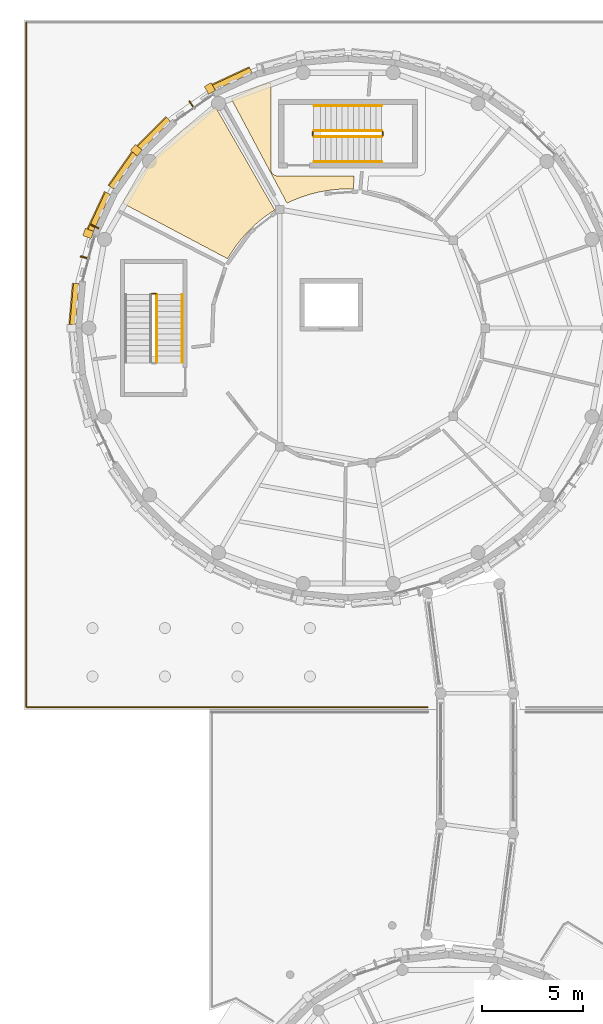
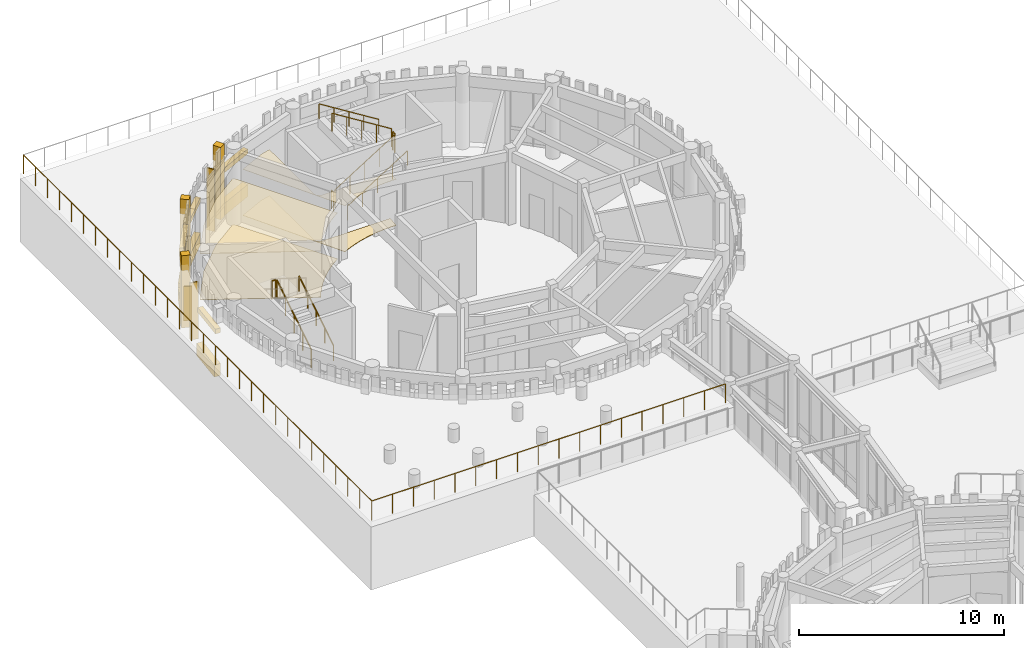
# One storey, part 84 of 94: 17 coverings, 10 railings, 3 shading devices.
"""IFC4 building model written with IfcOpenShell, lengths in metres."""

from ifc_helpers import new_model, si_unit, direction, frame, origin, origin_2d, place, context, subcontext, project, spatial, polyline, rectangle, circle, outline, extrude, material, layer, layer_set, type_object, element, save


model = new_model("IFC4")

# Units and contexts
model_context = context("Model", 3, precision=1e-05, world=origin(), true_north=direction((0.0, 1.0)))
body_context = subcontext(model_context, "Body", "Model", "MODEL_VIEW")
ifc_project = project(units=[si_unit("LENGTHUNIT", "METRE"), si_unit("AREAUNIT", "SQUARE_METRE"), si_unit("VOLUMEUNIT", "CUBIC_METRE"), si_unit("PLANEANGLEUNIT", "RADIAN"), si_unit("MASSUNIT", "GRAM", prefix="KILO")], contexts=[model_context])

# Site, building, storey
site_placement = place(None, origin())
site = spatial("IfcSite", under=ifc_project, at=site_placement, CompositionType="ELEMENT")
building_placement = place(site_placement, origin())
building = spatial("IfcBuilding", under=site, at=building_placement, Name="Aldenvaro Health Centre", CompositionType="ELEMENT")
storey_placement = place(building_placement, origin())
storey = spatial("IfcBuildingStorey", under=building, at=storey_placement, Name="L00", CompositionType="ELEMENT", Elevation=0.0)

# Coverings
ifc_material_1 = material(Name="Antimicrobial Mineral Fibre Ceiling")
ifc_layer_1 = layer(ifc_material_1, 0.01806640625, Name="Antimicrobial Mineral Fibre Ceiling")
ifc_layer_set_1 = layer_set([ifc_layer_1], Name="Antimicrobial Mineral Fibre Ceiling")
covering_type_1 = type_object("IfcCoveringType", Name="COV-CLG-ACT18", PredefinedType="CEILING", material=ifc_layer_set_1)
covering_1_placement = place(storey_placement, frame((0.0, 0.0, 2.75)))
element("IfcCovering", 1, at=covering_1_placement, inside=storey, type_object=covering_type_1, Name="D4-L00-R02 Suspended Ceiling", PredefinedType="CEILING", context=body_context, shape_type="SweptSolid", body=[
    extrude(outline(polyline([(18.51708984375, 106.409912109375), (18.5009765625, 106.409912109375), (18.031982421875, 106.39404296875), (18.01611328125, 106.39306640625), (17.550048828125, 106.343994140625), (17.532958984375, 106.342041015625), (17.072021484375, 106.260986328125), (17.054931640625, 106.257080078125), (16.60107421875, 106.14404296875), (16.583984375, 106.138916015625), (16.138916015625, 105.993896484375), (16.123046875, 105.988037109375), (15.68896484375, 105.81201171875), (15.674072265625, 105.804931640625), (15.4609375, 105.700927734375), (12.694091796875, 110.883056640625), (14.115966796875, 111.5458984375), (14.659912109375, 111.69189453125), (14.659912109375, 107.3798828125), (14.659912109375, 107.367919921875), (14.660888671875, 107.360107421875), (14.6630859375, 107.3369140625), (14.6640625, 107.3291015625), (14.6689453125, 107.305908203125), (14.6708984375, 107.298095703125), (14.677001953125, 107.27587890625), (14.679931640625, 107.26904296875), (14.68896484375, 107.2470703125), (14.69189453125, 107.239990234375), (14.7041015625, 107.218994140625), (14.7080078125, 107.2119140625), (14.720947265625, 107.193115234375), (14.72509765625, 107.18603515625), (14.739990234375, 107.16796875), (14.74609375, 107.162109375), (14.761962890625, 107.14599609375), (14.76806640625, 107.139892578125), (14.785888671875, 107.125), (14.79296875, 107.12109375), (14.81201171875, 107.10791015625), (14.819091796875, 107.10400390625), (14.840087890625, 107.092041015625), (14.846923828125, 107.089111328125), (14.868896484375, 107.080078125), (14.8759765625, 107.076904296875), (14.89794921875, 107.071044921875), (14.906005859375, 107.069091796875), (14.928955078125, 107.06396484375), (14.93701171875, 107.06298828125), (14.9599609375, 107.06103515625), (14.968017578125, 107.06005859375), (14.97998046875, 107.06005859375), (18.801025390625, 107.06005859375), (18.75390625, 106.40087890625), (18.51708984375, 106.409912109375)])), origin(), (0.0, 0.0, 1.0), 0.01806640625),
])
covering_2_placement = place(storey_placement, frame((0.0, 0.0, 2.75)))
element("IfcCovering", 2, at=covering_2_placement, inside=storey, type_object=covering_type_1, Name="D4-L00-R03 Suspended Ceiling", PredefinedType="CEILING", context=body_context, shape_type="SweptSolid", body=[
    extrude(outline(polyline([(11.910888671875, 110.47607421875), (14.85205078125, 105.363037109375), (14.65087890625, 105.238037109375), (14.636962890625, 105.22900390625), (14.257080078125, 104.9541015625), (14.243896484375, 104.944091796875), (13.885009765625, 104.64306640625), (13.8720703125, 104.631103515625), (13.534912109375, 104.305908203125), (13.52392578125, 104.2939453125), (13.2099609375, 103.946044921875), (13.198974609375, 103.93310546875), (12.910888671875, 103.56298828125), (12.90087890625, 103.550048828125), (12.639892578125, 103.160888671875), (12.631103515625, 103.14697265625), (12.512939453125, 102.94189453125), (7.301025390625, 105.700927734375), (7.39794921875, 105.908935546875), (8.679931640625, 107.739990234375), (10.260009765625, 109.320068359375), (11.910888671875, 110.47607421875)])), origin(), (0.0, 0.0, 1.0), 0.01806640625),
])
ifc_material_2 = material(Name="Honed Sonoran Buff Limestone", Category="masonry")
ifc_layer_2 = layer(ifc_material_2, 0.280029296875, Name="Honed Sonoran Buff Limestone", Category="masonry")
ifc_layer_set_2 = layer_set([ifc_layer_2], Name="Honed Sonoran Buff Limestone")
covering_type_2 = type_object("IfcCoveringType", Name="COV-CRN-STN", PredefinedType="CLADDING", material=ifc_layer_set_2)
covering_3_placement = place(storey_placement, frame((4.8779296875, 100.69189453125, 0.0), z_axis=(0.0, 0.0, 1.0), x_axis=(0.087331575855, 0.996179299052, 0.0)))
element("IfcCovering", 3, at=covering_3_placement, inside=storey, type_object=covering_type_2, Name="D4 L00 Rusticated Limestone Plinth 19.1", PredefinedType="CLADDING", context=body_context, shape_type="SweptSolid", body=[
    extrude(rectangle(XDim=2.055908203125, YDim=0.340087890625, at=origin_2d()), origin(), (0.0, 0.0, 1.0), 0.719970703125),
])
covering_4_placement = place(storey_placement, frame((4.907958984375, 100.68896484375, 2.5498046875), z_axis=(0.0, 0.0, 1.0), x_axis=(0.087331575855, 0.996179299052, 0.0)))
element("IfcCovering", 4, at=covering_4_placement, inside=storey, type_object=covering_type_2, Name="D4 L00 Rusticated Limestone Plinth 19.2", PredefinedType="CLADDING", context=body_context, shape_type="SweptSolid", body=[
    extrude(rectangle(XDim=2.055908203125, YDim=0.280029296875, at=origin_2d()), origin(), (0.0, 0.0, 1.0), 0.280029296875),
])
covering_5_placement = place(storey_placement, frame((6.10693359375, 105.279052734375, 0.0), z_axis=(0.0, 0.0, 1.0), x_axis=(0.422557314215, 0.90633620484, 0.0)))
element("IfcCovering", 5, at=covering_5_placement, inside=storey, type_object=covering_type_2, Name="D4 L00 Rusticated Limestone Plinth 21.1", PredefinedType="CLADDING", context=body_context, shape_type="SweptSolid", body=[
    extrude(rectangle(XDim=2.055908203125, YDim=0.340087890625, at=origin_2d()), origin(), (0.0, 0.0, 1.0), 0.719970703125),
])
covering_6_placement = place(storey_placement, frame((6.134033203125, 105.26611328125, 2.5498046875), z_axis=(0.0, 0.0, 1.0), x_axis=(0.422557314215, 0.90633620484, 0.0)))
element("IfcCovering", 6, at=covering_6_placement, inside=storey, type_object=covering_type_2, Name="D4 L00 Rusticated Limestone Plinth 21.2", PredefinedType="CLADDING", context=body_context, shape_type="SweptSolid", body=[
    extrude(rectangle(XDim=2.055908203125, YDim=0.280029296875, at=origin_2d()), origin(), (0.0, 0.0, 1.0), 0.280029296875),
])
covering_7_placement = place(storey_placement, frame((5.589111328125, 104.198974609375, -0.00048828125), z_axis=(0.0, 0.0, 1.0), x_axis=(-0.939695335552, 0.342012684476, 0.0)))
element("IfcCovering", 7, at=covering_7_placement, inside=storey, type_object=covering_type_2, Name="D4 L00 Engaged Classical Limestone Pilaster 11", PredefinedType="CLADDING", context=body_context, shape_type="SweptSolid", body=[
    extrude(rectangle(XDim=0.43994140625, YDim=0.3798828125, at=origin_2d()), origin(), (0.0, 0.0, 1.0), 4.304931640625),
])
covering_8_placement = place(storey_placement, frame((7.299072265625, 107.343017578125, 0.0), z_axis=(0.0, 0.0, 1.0), x_axis=(0.573720929857, 0.819050849853, 0.0)))
element("IfcCovering", 8, at=covering_8_placement, inside=storey, type_object=covering_type_2, Name="D4 L00 Rusticated Limestone Plinth 22.1", PredefinedType="CLADDING", context=body_context, shape_type="SweptSolid", body=[
    extrude(rectangle(XDim=2.055908203125, YDim=0.340087890625, at=origin_2d()), origin(), (0.0, 0.0, 1.0), 0.719970703125),
])
covering_9_placement = place(storey_placement, frame((7.322998046875, 107.325927734375, 2.5498046875), z_axis=(0.0, 0.0, 1.0), x_axis=(0.573720929857, 0.819050849853, 0.0)))
element("IfcCovering", 9, at=covering_9_placement, inside=storey, type_object=covering_type_2, Name="D4 L00 Rusticated Limestone Plinth 22.2", PredefinedType="CLADDING", context=body_context, shape_type="SweptSolid", body=[
    extrude(rectangle(XDim=2.055908203125, YDim=0.280029296875, at=origin_2d()), origin(), (0.0, 0.0, 1.0), 0.280029296875),
])
covering_10_placement = place(storey_placement, frame((8.8310546875, 109.1689453125, 0.0), z_axis=(0.0, 0.0, 1.0), x_axis=(0.707106781187, 0.707106781187, 0.0)))
element("IfcCovering", 10, at=covering_10_placement, inside=storey, type_object=covering_type_2, Name="D4 L00 Rusticated Limestone Plinth 23.1", PredefinedType="CLADDING", context=body_context, shape_type="SweptSolid", body=[
    extrude(rectangle(XDim=2.055908203125, YDim=0.340087890625, at=origin_2d()), origin(), (0.0, 0.0, 1.0), 0.719970703125),
])
covering_11_placement = place(storey_placement, frame((8.85205078125, 109.14794921875, 2.5498046875), z_axis=(0.0, 0.0, 1.0), x_axis=(0.707106781187, 0.707106781187, 0.0)))
element("IfcCovering", 11, at=covering_11_placement, inside=storey, type_object=covering_type_2, Name="D4 L00 Rusticated Limestone Plinth 23.2", PredefinedType="CLADDING", context=body_context, shape_type="SweptSolid", body=[
    extrude(rectangle(XDim=2.055908203125, YDim=0.280029296875, at=origin_2d()), origin(), (0.0, 0.0, 1.0), 0.280029296875),
])
covering_12_placement = place(storey_placement, frame((7.97412109375, 108.33203125, -0.00048828125), z_axis=(0.0, 0.0, 1.0), x_axis=(-0.766057587935, 0.642771943979, 0.0)))
element("IfcCovering", 12, at=covering_12_placement, inside=storey, type_object=covering_type_2, Name="D4 L00 Engaged Classical Limestone Pilaster 12", PredefinedType="CLADDING", context=body_context, shape_type="SweptSolid", body=[
    extrude(rectangle(XDim=0.43994140625, YDim=0.3798828125, at=origin_2d()), origin(), (0.0, 0.0, 1.0), 4.304931640625),
])
covering_13_placement = place(storey_placement, frame((12.720947265625, 111.89306640625, 0.0), z_axis=(0.0, 0.0, 1.0), x_axis=(0.90633620484, 0.422557314215, 0.0)))
element("IfcCovering", 13, at=covering_13_placement, inside=storey, type_object=covering_type_2, Name="D4 L00 Rusticated Limestone Plinth 25.1", PredefinedType="CLADDING", context=body_context, shape_type="SweptSolid", body=[
    extrude(rectangle(XDim=2.055908203125, YDim=0.340087890625, at=origin_2d()), origin(), (0.0, 0.0, 1.0), 0.719970703125),
])
covering_14_placement = place(storey_placement, frame((12.73388671875, 111.865966796875, 2.5498046875), z_axis=(0.0, 0.0, 1.0), x_axis=(0.90633620484, 0.422557314215, 0.0)))
element("IfcCovering", 14, at=covering_14_placement, inside=storey, type_object=covering_type_2, Name="D4 L00 Rusticated Limestone Plinth 25.2", PredefinedType="CLADDING", context=body_context, shape_type="SweptSolid", body=[
    extrude(rectangle(XDim=2.055908203125, YDim=0.280029296875, at=origin_2d()), origin(), (0.0, 0.0, 1.0), 0.280029296875),
])
covering_15_placement = place(storey_placement, frame((11.6298828125, 111.39892578125, -0.00048828125), z_axis=(0.0, 0.0, 1.0), x_axis=(-0.499991611653, 0.866030246745, 0.0)))
element("IfcCovering", 15, at=covering_15_placement, inside=storey, type_object=covering_type_2, Name="D4 L00 Engaged Classical Limestone Pilaster 13", PredefinedType="CLADDING", context=body_context, shape_type="SweptSolid", body=[
    extrude(rectangle(XDim=0.43994140625, YDim=0.3798828125, at=origin_2d()), origin(), (0.0, 0.0, 1.0), 4.304931640625),
])
ifc_material_3 = material(Name="Polished Epoxy Terrazzo Flooring")
ifc_layer_3 = layer(ifc_material_3, 0.02197265625, Name="Polished Epoxy Terrazzo Flooring")
ifc_layer_set_3 = layer_set([ifc_layer_3], Name="Polished Epoxy Terrazzo Flooring")
covering_type_3 = type_object("IfcCoveringType", Name="COV-FLR-TER22", PredefinedType="FLOORING", material=ifc_layer_set_3)
covering_16_placement = place(storey_placement, origin())
element("IfcCovering", 16, at=covering_16_placement, inside=storey, type_object=covering_type_3, Name="D4-L00-R02 Flooring", PredefinedType="FLOORING", context=body_context, shape_type="SweptSolid", body=[
    extrude(outline(polyline([(18.51708984375, 106.409912109375), (18.5009765625, 106.409912109375), (18.031982421875, 106.39404296875), (18.01611328125, 106.39306640625), (17.550048828125, 106.343994140625), (17.532958984375, 106.342041015625), (17.072021484375, 106.260986328125), (17.054931640625, 106.257080078125), (16.60107421875, 106.14404296875), (16.583984375, 106.138916015625), (16.138916015625, 105.993896484375), (16.123046875, 105.988037109375), (15.68896484375, 105.81201171875), (15.674072265625, 105.804931640625), (15.4609375, 105.700927734375), (12.694091796875, 110.883056640625), (14.115966796875, 111.5458984375), (14.659912109375, 111.69189453125), (14.659912109375, 107.3798828125), (14.659912109375, 107.367919921875), (14.660888671875, 107.360107421875), (14.6630859375, 107.3369140625), (14.6640625, 107.3291015625), (14.6689453125, 107.305908203125), (14.6708984375, 107.298095703125), (14.677001953125, 107.27587890625), (14.679931640625, 107.26904296875), (14.68896484375, 107.2470703125), (14.69189453125, 107.239990234375), (14.7041015625, 107.218994140625), (14.7080078125, 107.2119140625), (14.720947265625, 107.193115234375), (14.72509765625, 107.18603515625), (14.739990234375, 107.16796875), (14.74609375, 107.162109375), (14.761962890625, 107.14599609375), (14.76806640625, 107.139892578125), (14.785888671875, 107.125), (14.79296875, 107.12109375), (14.81201171875, 107.10791015625), (14.819091796875, 107.10400390625), (14.840087890625, 107.092041015625), (14.846923828125, 107.089111328125), (14.868896484375, 107.080078125), (14.8759765625, 107.076904296875), (14.89794921875, 107.071044921875), (14.906005859375, 107.069091796875), (14.928955078125, 107.06396484375), (14.93701171875, 107.06298828125), (14.9599609375, 107.06103515625), (14.968017578125, 107.06005859375), (14.97998046875, 107.06005859375), (18.801025390625, 107.06005859375), (18.75390625, 106.40087890625), (18.51708984375, 106.409912109375)])), origin(), (0.0, 0.0, 1.0), 0.02197265625),
])
covering_17_placement = place(storey_placement, origin())
element("IfcCovering", 17, at=covering_17_placement, inside=storey, type_object=covering_type_3, Name="D4-L00-R03 Flooring", PredefinedType="FLOORING", context=body_context, shape_type="SweptSolid", body=[
    extrude(outline(polyline([(11.910888671875, 110.47607421875), (14.85205078125, 105.363037109375), (14.65087890625, 105.238037109375), (14.636962890625, 105.22900390625), (14.257080078125, 104.9541015625), (14.243896484375, 104.944091796875), (13.885009765625, 104.64306640625), (13.8720703125, 104.631103515625), (13.534912109375, 104.305908203125), (13.52392578125, 104.2939453125), (13.2099609375, 103.946044921875), (13.198974609375, 103.93310546875), (12.910888671875, 103.56298828125), (12.90087890625, 103.550048828125), (12.639892578125, 103.160888671875), (12.631103515625, 103.14697265625), (12.512939453125, 102.94189453125), (7.301025390625, 105.700927734375), (7.39794921875, 105.908935546875), (8.679931640625, 107.739990234375), (10.260009765625, 109.320068359375), (11.910888671875, 110.47607421875)])), origin(), (0.0, 0.0, 1.0), 0.02197265625),
])

# Railings
ifc_material_4 = material(Name="Painted Architectural Steel", Category="steel")
railing_type_1 = type_object("IfcRailingType", Name="RL-BAL-115", PredefinedType="GUARDRAIL", material=ifc_material_4)
railing_1_placement = place(storey_placement, frame((22.443115234375, 80.669921875, 3.75)))
element("IfcRailing", 18, at=railing_1_placement, inside=storey, type_object=railing_type_1, Name="Upper North Foothill Acropolis Bastion Terrace Classical Balustrade 35", PredefinedType="GUARDRAIL", context=body_context, shape_type="SweptSolid", body=[
    extrude(circle(Radius=0.02392578125, at=origin_2d()), frame((0.0, 0.0, 1.1357421875), z_axis=(-1.0, 0.0, 0.0), x_axis=(0.0, -1.0, 0.0)), (0.0, 0.0, 1.0), 19.923095703125),
    extrude(circle(Radius=0.02392578125, at=origin_2d()), frame((-19.923095703125, 0.0, 1.1357421875), z_axis=(0.0, 1.0, 0.0), x_axis=(-1.0, 0.0, 0.0)), (0.0, 0.0, 1.0), 34.010009765625),
    extrude(circle(Radius=0.02099609375, at=origin_2d()), origin(), (0.0, 0.0, 1.0), 1.11181640625),
    extrude(circle(Radius=0.02099609375, at=origin_2d()), frame((-1.171875, 0.0, 0.0)), (0.0, 0.0, 1.0), 1.11181640625),
    extrude(circle(Radius=0.02099609375, at=origin_2d()), frame((-2.343994140625, 0.0, 0.0)), (0.0, 0.0, 1.0), 1.11181640625),
    extrude(circle(Radius=0.02099609375, at=origin_2d()), frame((-3.515869140625, 0.0, 0.0)), (0.0, 0.0, 1.0), 1.11181640625),
    extrude(circle(Radius=0.02099609375, at=origin_2d()), frame((-4.687744140625, 0.0, 0.0)), (0.0, 0.0, 1.0), 1.11181640625),
    extrude(circle(Radius=0.02099609375, at=origin_2d()), frame((-5.859619140625, 0.0, 0.0)), (0.0, 0.0, 1.0), 1.11181640625),
    extrude(circle(Radius=0.02099609375, at=origin_2d()), frame((-7.03173828125, 0.0, 0.0)), (0.0, 0.0, 1.0), 1.11181640625),
    extrude(circle(Radius=0.02099609375, at=origin_2d()), frame((-8.20361328125, 0.0, 0.0)), (0.0, 0.0, 1.0), 1.11181640625),
    extrude(circle(Radius=0.02099609375, at=origin_2d()), frame((-9.37548828125, 0.0, 0.0)), (0.0, 0.0, 1.0), 1.11181640625),
    extrude(circle(Radius=0.02099609375, at=origin_2d()), frame((-10.547607421875, 0.0, 0.0)), (0.0, 0.0, 1.0), 1.11181640625),
    extrude(circle(Radius=0.02099609375, at=origin_2d()), frame((-11.719482421875, 0.0, 0.0)), (0.0, 0.0, 1.0), 1.11181640625),
    extrude(circle(Radius=0.02099609375, at=origin_2d()), frame((-12.891357421875, 0.0, 0.0)), (0.0, 0.0, 1.0), 1.11181640625),
    extrude(circle(Radius=0.02099609375, at=origin_2d()), frame((-14.0634765625, 0.0, 0.0)), (0.0, 0.0, 1.0), 1.11181640625),
    extrude(circle(Radius=0.02099609375, at=origin_2d()), frame((-15.2353515625, 0.0, 0.0)), (0.0, 0.0, 1.0), 1.11181640625),
    extrude(circle(Radius=0.02099609375, at=origin_2d()), frame((-16.4072265625, 0.0, 0.0)), (0.0, 0.0, 1.0), 1.11181640625),
    extrude(circle(Radius=0.02099609375, at=origin_2d()), frame((-17.5791015625, 0.0, 0.0)), (0.0, 0.0, 1.0), 1.11181640625),
    extrude(circle(Radius=0.02099609375, at=origin_2d()), frame((-18.751220703125, 0.0, 0.0)), (0.0, 0.0, 1.0), 1.11181640625),
    extrude(circle(Radius=0.02099609375, at=origin_2d()), frame((-19.923095703125, 0.0, 0.0)), (0.0, 0.0, 1.0), 1.11181640625),
    extrude(circle(Radius=0.02099609375, at=origin_2d()), frame((-19.923095703125, 1.1728515625, 0.0)), (0.0, 0.0, 1.0), 1.11181640625),
    extrude(circle(Radius=0.02099609375, at=origin_2d()), frame((-19.923095703125, 2.345458984375, 0.0)), (0.0, 0.0, 1.0), 1.11181640625),
    extrude(circle(Radius=0.02099609375, at=origin_2d()), frame((-19.923095703125, 3.518310546875, 0.0)), (0.0, 0.0, 1.0), 1.11181640625),
    extrude(circle(Radius=0.02099609375, at=origin_2d()), frame((-19.923095703125, 4.69091796875, 0.0)), (0.0, 0.0, 1.0), 1.11181640625),
    extrude(circle(Radius=0.02099609375, at=origin_2d()), frame((-19.923095703125, 5.86376953125, 0.0)), (0.0, 0.0, 1.0), 1.11181640625),
    extrude(circle(Radius=0.02099609375, at=origin_2d()), frame((-19.923095703125, 7.03662109375, 0.0)), (0.0, 0.0, 1.0), 1.11181640625),
    extrude(circle(Radius=0.02099609375, at=origin_2d()), frame((-19.923095703125, 8.209228515625, 0.0)), (0.0, 0.0, 1.0), 1.11181640625),
    extrude(circle(Radius=0.02099609375, at=origin_2d()), frame((-19.923095703125, 9.382080078125, 0.0)), (0.0, 0.0, 1.0), 1.11181640625),
    extrude(circle(Radius=0.02099609375, at=origin_2d()), frame((-19.923095703125, 10.554931640625, 0.0)), (0.0, 0.0, 1.0), 1.11181640625),
    extrude(circle(Radius=0.02099609375, at=origin_2d()), frame((-19.923095703125, 11.7275390625, 0.0)), (0.0, 0.0, 1.0), 1.11181640625),
    extrude(circle(Radius=0.02099609375, at=origin_2d()), frame((-19.923095703125, 12.900390625, 0.0)), (0.0, 0.0, 1.0), 1.11181640625),
    extrude(circle(Radius=0.02099609375, at=origin_2d()), frame((-19.923095703125, 14.072998046875, 0.0)), (0.0, 0.0, 1.0), 1.11181640625),
    extrude(circle(Radius=0.02099609375, at=origin_2d()), frame((-19.923095703125, 15.245849609375, 0.0)), (0.0, 0.0, 1.0), 1.11181640625),
    extrude(circle(Radius=0.02099609375, at=origin_2d()), frame((-19.923095703125, 16.418701171875, 0.0)), (0.0, 0.0, 1.0), 1.11181640625),
    extrude(circle(Radius=0.02099609375, at=origin_2d()), frame((-19.923095703125, 17.59130859375, 0.0)), (0.0, 0.0, 1.0), 1.11181640625),
    extrude(circle(Radius=0.02099609375, at=origin_2d()), frame((-19.923095703125, 18.76416015625, 0.0)), (0.0, 0.0, 1.0), 1.11181640625),
    extrude(circle(Radius=0.02099609375, at=origin_2d()), frame((-19.923095703125, 19.93701171875, 0.0)), (0.0, 0.0, 1.0), 1.11181640625),
    extrude(circle(Radius=0.02099609375, at=origin_2d()), frame((-19.923095703125, 21.109619140625, 0.0)), (0.0, 0.0, 1.0), 1.11181640625),
    extrude(circle(Radius=0.02099609375, at=origin_2d()), frame((-19.923095703125, 22.282470703125, 0.0)), (0.0, 0.0, 1.0), 1.11181640625),
    extrude(circle(Radius=0.02099609375, at=origin_2d()), frame((-19.923095703125, 23.455078125, 0.0)), (0.0, 0.0, 1.0), 1.11181640625),
    extrude(circle(Radius=0.02099609375, at=origin_2d()), frame((-19.923095703125, 24.6279296875, 0.0)), (0.0, 0.0, 1.0), 1.11181640625),
    extrude(circle(Radius=0.02099609375, at=origin_2d()), frame((-19.923095703125, 25.80078125, 0.0)), (0.0, 0.0, 1.0), 1.11181640625),
    extrude(circle(Radius=0.02099609375, at=origin_2d()), frame((-19.923095703125, 26.973388671875, 0.0)), (0.0, 0.0, 1.0), 1.11181640625),
    extrude(circle(Radius=0.02099609375, at=origin_2d()), frame((-19.923095703125, 28.146240234375, 0.0)), (0.0, 0.0, 1.0), 1.11181640625),
    extrude(circle(Radius=0.02099609375, at=origin_2d()), frame((-19.923095703125, 29.319091796875, 0.0)), (0.0, 0.0, 1.0), 1.11181640625),
    extrude(circle(Radius=0.02099609375, at=origin_2d()), frame((-19.923095703125, 30.49169921875, 0.0)), (0.0, 0.0, 1.0), 1.11181640625),
    extrude(circle(Radius=0.02099609375, at=origin_2d()), frame((-19.923095703125, 31.66455078125, 0.0)), (0.0, 0.0, 1.0), 1.11181640625),
    extrude(circle(Radius=0.02099609375, at=origin_2d()), frame((-19.923095703125, 32.837158203125, 0.0)), (0.0, 0.0, 1.0), 1.11181640625),
    extrude(circle(Radius=0.02099609375, at=origin_2d()), frame((-19.923095703125, 34.010009765625, 0.0)), (0.0, 0.0, 1.0), 1.11181640625),
])
railing_type_2 = type_object("IfcRailingType", Name="RL-BAL-INT", PredefinedType="BALUSTRADE", material=ifc_material_4)
railing_2_placement = place(storey_placement, frame((16.800048828125, 109.0, 0.175048828125)))
element("IfcRailing", 19, at=railing_2_placement, inside=storey, type_object=railing_type_2, Name="L00 ST-07 stair guard 1", PredefinedType="BALUSTRADE", context=body_context, shape_type="SweptSolid", body=[
    extrude(circle(Radius=0.02392578125, at=origin_2d()), frame((0.0, 0.0, 1.076171875), z_axis=(0.848005227453, 0.0, 0.529987862325), x_axis=(0.0, 1.0, 0.0)), (0.0, 0.0, 1.0), 3.962158203125),
    extrude(circle(Radius=0.02099609375, at=origin_2d()), origin(), (0.0, 0.0, 1.0), 1.052001953125),
    extrude(circle(Radius=0.02099609375, at=origin_2d()), frame((0.83984375, 0.0, 0.52490234375)), (0.0, 0.0, 1.0), 1.052001953125),
    extrude(circle(Radius=0.02099609375, at=origin_2d()), frame((1.679931640625, 0.0, 1.0498046875)), (0.0, 0.0, 1.0), 1.052001953125),
    extrude(circle(Radius=0.02099609375, at=origin_2d()), frame((2.52001953125, 0.0, 1.574951171875)), (0.0, 0.0, 1.0), 1.052001953125),
    extrude(circle(Radius=0.02099609375, at=origin_2d()), frame((3.35986328125, 0.0, 2.099853515625)), (0.0, 0.0, 1.0), 1.052001953125),
])
railing_3_placement = place(storey_placement, frame((20.2099609375, 109.050048828125, 2.27490234375)))
element("IfcRailing", 20, at=railing_3_placement, inside=storey, type_object=railing_type_2, Name="L00 ST-07 stair guard 2", PredefinedType="BALUSTRADE", context=body_context, shape_type="SweptSolid", body=[
    extrude(circle(Radius=0.02392578125, at=origin_2d()), frame((0.0, 0.0, 1.076171875), z_axis=(0.0, 1.0, 0.0), x_axis=(-1.0, 0.0, 0.0)), (0.0, 0.0, 1.0), 0.199951171875),
    extrude(circle(Radius=0.02099609375, at=origin_2d()), origin(), (0.0, 0.0, 1.0), 1.052001953125),
    extrude(circle(Radius=0.02099609375, at=origin_2d()), frame((0.0, 0.199951171875, 0.0)), (0.0, 0.0, 1.0), 1.052001953125),
])
railing_4_placement = place(storey_placement, frame((20.159912109375, 109.300048828125, 2.449951171875)))
element("IfcRailing", 21, at=railing_4_placement, inside=storey, type_object=railing_type_2, Name="L00 ST-07 stair guard 3", PredefinedType="BALUSTRADE", context=body_context, shape_type="SweptSolid", body=[
    extrude(circle(Radius=0.02392578125, at=origin_2d()), frame((0.0, 0.0, 1.076171875), z_axis=(-0.847977533471, 0.0, 0.530032171408), x_axis=(0.0, -1.0, 0.0)), (0.0, 0.0, 1.0), 3.962158203125),
    extrude(circle(Radius=0.02099609375, at=origin_2d()), origin(), (0.0, 0.0, 1.0), 1.052001953125),
    extrude(circle(Radius=0.02099609375, at=origin_2d()), frame((-0.83984375, 0.0, 0.52490234375)), (0.0, 0.0, 1.0), 1.052001953125),
    extrude(circle(Radius=0.02099609375, at=origin_2d()), frame((-1.679931640625, 0.0, 1.050048828125)), (0.0, 0.0, 1.0), 1.052001953125),
    extrude(circle(Radius=0.02099609375, at=origin_2d()), frame((-2.52001953125, 0.0, 1.5751953125)), (0.0, 0.0, 1.0), 1.052001953125),
    extrude(circle(Radius=0.02099609375, at=origin_2d()), frame((-3.35986328125, 0.0, 2.10009765625)), (0.0, 0.0, 1.0), 1.052001953125),
])
railing_5_placement = place(storey_placement, frame((16.75, 109.050048828125, 0.0)))
element("IfcRailing", 22, at=railing_5_placement, inside=storey, type_object=railing_type_2, Name="L00 ST-07 stair guard 4", PredefinedType="BALUSTRADE", context=body_context, shape_type="SweptSolid", body=[
    extrude(circle(Radius=0.02392578125, at=origin_2d()), frame((0.0, 0.0, 1.076171875), z_axis=(0.0, 1.0, 0.0), x_axis=(-1.0, 0.0, 0.0)), (0.0, 0.0, 1.0), 0.199951171875),
    extrude(circle(Radius=0.02099609375, at=origin_2d()), origin(), (0.0, 0.0, 1.0), 1.052001953125),
    extrude(circle(Radius=0.02099609375, at=origin_2d()), frame((0.0, 0.199951171875, 0.0)), (0.0, 0.0, 1.0), 1.052001953125),
])
railing_6_placement = place(storey_placement, frame((9.0, 97.800048828125, 0.175048828125)))
element("IfcRailing", 23, at=railing_6_placement, inside=storey, type_object=railing_type_2, Name="L00 ST-08 stair guard 1", PredefinedType="BALUSTRADE", context=body_context, shape_type="SweptSolid", body=[
    extrude(circle(Radius=0.02392578125, at=origin_2d()), frame((0.0, 0.0, 1.076171875), z_axis=(0.0, 0.848005227453, 0.529987862325), x_axis=(-1.0, 0.0, 0.0)), (0.0, 0.0, 1.0), 3.962158203125),
    extrude(circle(Radius=0.02099609375, at=origin_2d()), origin(), (0.0, 0.0, 1.0), 1.052001953125),
    extrude(circle(Radius=0.02099609375, at=origin_2d()), frame((0.0, 0.83984375, 0.52490234375)), (0.0, 0.0, 1.0), 1.052001953125),
    extrude(circle(Radius=0.02099609375, at=origin_2d()), frame((0.0, 1.679931640625, 1.0498046875)), (0.0, 0.0, 1.0), 1.052001953125),
    extrude(circle(Radius=0.02099609375, at=origin_2d()), frame((0.0, 2.52001953125, 1.574951171875)), (0.0, 0.0, 1.0), 1.052001953125),
    extrude(circle(Radius=0.02099609375, at=origin_2d()), frame((0.0, 3.35986328125, 2.099853515625)), (0.0, 0.0, 1.0), 1.052001953125),
])
railing_7_placement = place(storey_placement, frame((8.949951171875, 101.2099609375, 2.27490234375)))
element("IfcRailing", 24, at=railing_7_placement, inside=storey, type_object=railing_type_2, Name="L00 ST-08 stair guard 2", PredefinedType="BALUSTRADE", context=body_context, shape_type="SweptSolid", body=[
    extrude(circle(Radius=0.02392578125, at=origin_2d()), frame((0.0, 0.0, 1.076171875), z_axis=(-1.0, 0.0, 0.0), x_axis=(0.0, -1.0, 0.0)), (0.0, 0.0, 1.0), 0.199951171875),
    extrude(circle(Radius=0.02099609375, at=origin_2d()), origin(), (0.0, 0.0, 1.0), 1.052001953125),
    extrude(circle(Radius=0.02099609375, at=origin_2d()), frame((-0.199951171875, 0.0, 0.0)), (0.0, 0.0, 1.0), 1.052001953125),
])
railing_type_3 = type_object("IfcRailingType", Name="RL-HND-INT", PredefinedType="HANDRAIL", material=ifc_material_4)
railing_8_placement = place(storey_placement, frame((16.800048828125, 107.75, 0.175048828125)))
element("IfcRailing", 25, at=railing_8_placement, inside=storey, type_object=railing_type_3, Name="L00 ST-07 stair handrail 1", PredefinedType="HANDRAIL", context=body_context, shape_type="SweptSolid", body=[
    extrude(circle(Radius=0.02392578125, at=origin_2d()), frame((0.0, 0.0, 0.8759765625), z_axis=(0.848005227453, 0.0, 0.529987862325), x_axis=(0.0, 1.0, 0.0)), (0.0, 0.0, 1.0), 3.962158203125),
    extrude(circle(Radius=0.02099609375, at=origin_2d()), origin(), (0.0, 0.0, 1.0), 0.851806640625),
    extrude(circle(Radius=0.02099609375, at=origin_2d()), frame((0.83984375, 0.0, 0.52490234375)), (0.0, 0.0, 1.0), 0.851806640625),
    extrude(circle(Radius=0.02099609375, at=origin_2d()), frame((1.679931640625, 0.0, 1.0498046875)), (0.0, 0.0, 1.0), 0.851806640625),
    extrude(circle(Radius=0.02099609375, at=origin_2d()), frame((2.52001953125, 0.0, 1.574951171875)), (0.0, 0.0, 1.0), 0.851806640625),
    extrude(circle(Radius=0.02099609375, at=origin_2d()), frame((3.35986328125, 0.0, 2.099853515625)), (0.0, 0.0, 1.0), 0.851806640625),
])
railing_9_placement = place(storey_placement, frame((20.159912109375, 110.550048828125, 2.449951171875)))
element("IfcRailing", 26, at=railing_9_placement, inside=storey, type_object=railing_type_3, Name="L00 ST-07 stair handrail 2", PredefinedType="HANDRAIL", context=body_context, shape_type="SweptSolid", body=[
    extrude(circle(Radius=0.02392578125, at=origin_2d()), frame((0.0, 0.0, 0.8759765625), z_axis=(-0.847977533471, 0.0, 0.530032171408), x_axis=(0.0, -1.0, 0.0)), (0.0, 0.0, 1.0), 3.962158203125),
    extrude(circle(Radius=0.02099609375, at=origin_2d()), origin(), (0.0, 0.0, 1.0), 0.851806640625),
    extrude(circle(Radius=0.02099609375, at=origin_2d()), frame((-0.83984375, 0.0, 0.52490234375)), (0.0, 0.0, 1.0), 0.851806640625),
    extrude(circle(Radius=0.02099609375, at=origin_2d()), frame((-1.679931640625, 0.0, 1.050048828125)), (0.0, 0.0, 1.0), 0.851806640625),
    extrude(circle(Radius=0.02099609375, at=origin_2d()), frame((-2.52001953125, 0.0, 1.5751953125)), (0.0, 0.0, 1.0), 0.851806640625),
    extrude(circle(Radius=0.02099609375, at=origin_2d()), frame((-3.35986328125, 0.0, 2.10009765625)), (0.0, 0.0, 1.0), 0.851806640625),
])
railing_10_placement = place(storey_placement, frame((10.25, 97.800048828125, 0.175048828125)))
element("IfcRailing", 27, at=railing_10_placement, inside=storey, type_object=railing_type_3, Name="L00 ST-08 stair handrail 1", PredefinedType="HANDRAIL", context=body_context, shape_type="SweptSolid", body=[
    extrude(circle(Radius=0.02392578125, at=origin_2d()), frame((0.0, 0.0, 0.8759765625), z_axis=(0.0, 0.848005227453, 0.529987862325), x_axis=(-1.0, 0.0, 0.0)), (0.0, 0.0, 1.0), 3.962158203125),
    extrude(circle(Radius=0.02099609375, at=origin_2d()), origin(), (0.0, 0.0, 1.0), 0.851806640625),
    extrude(circle(Radius=0.02099609375, at=origin_2d()), frame((0.0, 0.83984375, 0.52490234375)), (0.0, 0.0, 1.0), 0.851806640625),
    extrude(circle(Radius=0.02099609375, at=origin_2d()), frame((0.0, 1.679931640625, 1.0498046875)), (0.0, 0.0, 1.0), 0.851806640625),
    extrude(circle(Radius=0.02099609375, at=origin_2d()), frame((0.0, 2.52001953125, 1.574951171875)), (0.0, 0.0, 1.0), 0.851806640625),
    extrude(circle(Radius=0.02099609375, at=origin_2d()), frame((0.0, 3.35986328125, 2.099853515625)), (0.0, 0.0, 1.0), 0.851806640625),
])

# Shading devices
ifc_material_5 = material(Name="Douglas Fir Exterior Glulam GL28h", Category="wood")
shading_device_type_1 = type_object("IfcShadingDeviceType", Name="SHD-FIN-205", PredefinedType="USERDEFINED", material=ifc_material_5)
shading_device_1_placement = place(storey_placement, frame((5.927001953125, 104.5380859375, -0.02001953125), z_axis=(0.0, 0.0, 1.0), x_axis=(0.422557314215, 0.90633620484, 0.0)))
element("IfcShadingDevice", 28, at=shading_device_1_placement, inside=storey, type_object=shading_device_type_1, Name="D4 L00 Douglas fir fin 21.1", ObjectType="FIN", PredefinedType="USERDEFINED", context=body_context, shape_type="SweptSolid", body=[
    extrude(rectangle(XDim=0.06494140625, YDim=0.419921875, at=origin_2d()), origin(), (0.0, 0.0, 1.0), 2.050048828125),
])
shading_device_type_2 = type_object("IfcShadingDeviceType", Name="SHD-FIN-340", PredefinedType="USERDEFINED", material=ifc_material_5)
shading_device_2_placement = place(storey_placement, frame((5.403076171875, 103.009033203125, -0.02001953125), z_axis=(0.0, 0.0, 1.0), x_axis=(0.258621935517, 0.965978620089, 0.0)))
element("IfcShadingDevice", 29, at=shading_device_2_placement, inside=storey, type_object=shading_device_type_2, Name="D4 L00 vertical timber fin 20.0", ObjectType="FIN", PredefinedType="USERDEFINED", context=body_context, shape_type="SweptSolid", body=[
    extrude(rectangle(XDim=0.074951171875, YDim=0.419921875, at=origin_2d()), origin(), (0.0, 0.0, 1.0), 3.39990234375),
])
shading_device_type_3 = type_object("IfcShadingDeviceType", Name="SHD-FIN-400", PredefinedType="USERDEFINED", material=ifc_material_5)
shading_device_3_placement = place(storey_placement, frame((10.722900390625, 110.60693359375, -0.0205078125), z_axis=(0.0, 0.0, 1.0), x_axis=(0.819050849853, 0.573720929857, 0.0)))
element("IfcShadingDevice", 30, at=shading_device_3_placement, inside=storey, type_object=shading_device_type_3, Name="D4 L00 vertical timber fin 24.0", ObjectType="FIN", PredefinedType="USERDEFINED", context=body_context, shape_type="SweptSolid", body=[
    extrude(rectangle(XDim=0.06494140625, YDim=0.419921875, at=origin_2d()), origin(), (0.0, 0.0, 1.0), 3.698974609375),
])

save(model, "model.ifc")
